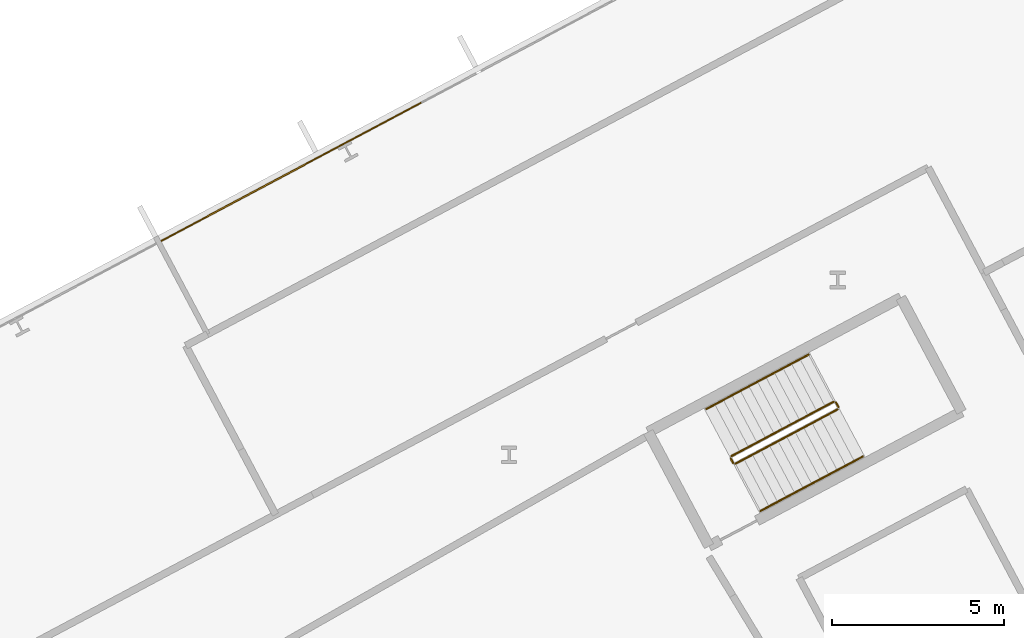
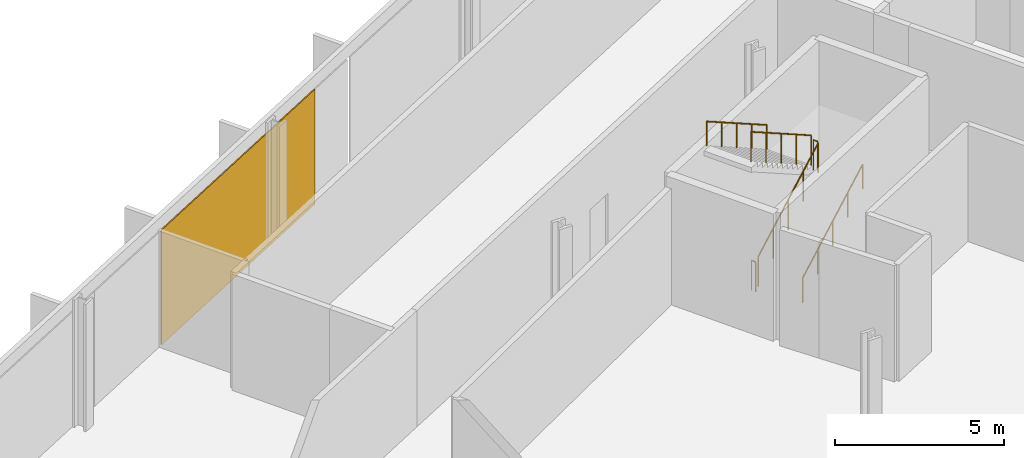
# One storey, part 29 of 30: 6 railings, 1 covering, 1 element without a shape of its own.
"""IFC4 building model written with IfcOpenShell, lengths in metres."""

from ifc_helpers import new_model, si_unit, direction, frame, origin, origin_2d, place, context, subcontext, project, spatial, polyline, rectangle, outline, extrude, material, layer, layer_set, type_object, element, aggregate, save


model = new_model("IFC4")

# Units and contexts
model_context = context("Model", 3, precision=1e-05, world=origin(), true_north=direction((0.0, 1.0)))
body_context = subcontext(model_context, "Body", "Model", "MODEL_VIEW")
ifc_project = project(units=[si_unit("LENGTHUNIT", "METRE"), si_unit("AREAUNIT", "SQUARE_METRE"), si_unit("VOLUMEUNIT", "CUBIC_METRE"), si_unit("PLANEANGLEUNIT", "RADIAN"), si_unit("MASSUNIT", "GRAM", prefix="KILO")], contexts=[model_context])

# Site, building, storey
site_placement = place(None, origin())
site = spatial("IfcSite", under=ifc_project, at=site_placement, CompositionType="ELEMENT")
building_placement = place(site_placement, origin())
building = spatial("IfcBuilding", under=site, at=building_placement, Name="Cormorant Relay Tower", CompositionType="ELEMENT")
storey_placement = place(building_placement, frame((0.0, 0.0, 80.0)))
storey = spatial("IfcBuildingStorey", under=building, at=storey_placement, Name="L15", CompositionType="ELEMENT", Elevation=80.0)

# Curtain wall, covering
ifc_material_1 = material(Name="Aluminium 6063-T6 anodised bronze", Category="aluminium")
ifc_layer_1 = layer(ifc_material_1, 0.199951171875)
ifc_layer_set_1 = layer_set([ifc_layer_1], Name="CW1 unitised bronze curtain wall with vertical fins")
curtain_wall_type = type_object("IfcCurtainWallType", Name="CW1 unitised bronze curtain wall with vertical fins", PredefinedType="NOTDEFINED", material=ifc_layer_set_1)
curtain_wall_placement = place(storey_placement, origin())
curtain_wall = element("IfcCurtainWall", 1, at=curtain_wall_placement, inside=storey, type_object=curtain_wall_type, Name="CW1 curtain wall 6", PredefinedType="NOTDEFINED")
ifc_material_2 = material(Name="Pale bronze anodised aluminium insulated panel", Category="aluminium")
ifc_layer_2 = layer(ifc_material_2, 0.0400390625)
ifc_layer_set_2 = layer_set([ifc_layer_2], Name="CW1 pale bronze insulated panel 40")
covering_type = type_object("IfcCoveringType", Name="CW1 pale bronze insulated panel 40", PredefinedType="CLADDING", material=ifc_layer_set_2)
covering_placement = place(storey_placement, frame((31.69140625, 40.6572265625, 0.0), z_axis=(0.0, 0.0, 1.0), x_axis=(-0.882947592859, -0.469471562786, 0.0)))
covering = element("IfcCovering", 2, at=covering_placement, type_object=covering_type, Name="CW1 panel S04", PredefinedType="CLADDING", context=body_context, shape_type="SweptSolid", body=[
    extrude(rectangle(XDim=8.565185546875, YDim=0.0400390625, at=origin_2d()), origin(), (0.0, 0.0, 1.0), 4.14990234375),
])
aggregate(curtain_wall, [covering])

# Railings
ifc_material_3 = material(Name="Steel ASTM A572 Grade 50 (Fy 345 MPa)", Category="steel")
railing_type_1 = type_object("IfcRailingType", Name="Stair guard 1100", PredefinedType="GUARDRAIL", material=ifc_material_3)
railing_1_placement = place(storey_placement, frame((44.583740234375, 32.186279296875, 0.177001953125)))
element("IfcRailing", 3, at=railing_1_placement, inside=storey, type_object=railing_type_1, Name="L15 RB1 stair guard 1", PredefinedType="GUARDRAIL", context=body_context, shape_type="SweptSolid", body=[
    extrude(outline(polyline([(0.022216796875, 0.00927734375), (0.00927734375, 0.022216796875), (-0.00927734375, 0.022216796875), (-0.022216796875, 0.00927734375), (-0.022216796875, -0.00927734375), (-0.00927734375, -0.022216796875), (0.00927734375, -0.022216796875), (0.022216796875, -0.00927734375), (0.022216796875, 0.00927734375)])), frame((0.0, 0.0, 1.076171875), z_axis=(0.746422470992, 0.396920836698, 0.534141689248), x_axis=(-0.469509342547, 0.882927503967, 0.0)), (0.0, 0.0, 1.0), 3.974609375),
    extrude(outline(polyline([(0.019287109375, 0.008056640625), (0.008056640625, 0.019287109375), (-0.008056640625, 0.019287109375), (-0.019287109375, 0.008056640625), (-0.019287109375, -0.008056640625), (-0.008056640625, -0.019287109375), (0.008056640625, -0.019287109375), (0.019287109375, -0.008056640625), (0.019287109375, 0.008056640625)])), origin(), (0.0, 0.0, 1.0), 1.052001953125),
    extrude(outline(polyline([(0.019287109375, 0.008056640625), (0.008056640625, 0.019287109375), (-0.008056640625, 0.019287109375), (-0.019287109375, 0.008056640625), (-0.019287109375, -0.008056640625), (-0.008056640625, -0.019287109375), (0.008056640625, -0.019287109375), (0.019287109375, -0.008056640625), (0.019287109375, 0.008056640625)])), frame((0.74169921875, 0.39453125, 0.53076171875)), (0.0, 0.0, 1.0), 1.052001953125),
    extrude(outline(polyline([(0.019287109375, 0.008056640625), (0.008056640625, 0.019287109375), (-0.008056640625, 0.019287109375), (-0.019287109375, 0.008056640625), (-0.019287109375, -0.008056640625), (-0.008056640625, -0.019287109375), (0.008056640625, -0.019287109375), (0.019287109375, -0.008056640625), (0.019287109375, 0.008056640625)])), frame((1.4833984375, 0.788818359375, 1.0615234375)), (0.0, 0.0, 1.0), 1.052001953125),
    extrude(outline(polyline([(0.019287109375, 0.008056640625), (0.008056640625, 0.019287109375), (-0.008056640625, 0.019287109375), (-0.019287109375, 0.008056640625), (-0.019287109375, -0.008056640625), (-0.008056640625, -0.019287109375), (0.008056640625, -0.019287109375), (0.019287109375, -0.008056640625), (0.019287109375, 0.008056640625)])), frame((2.22509765625, 1.18310546875, 1.59228515625)), (0.0, 0.0, 1.0), 1.052001953125),
    extrude(outline(polyline([(0.019287109375, 0.008056640625), (0.008056640625, 0.019287109375), (-0.008056640625, 0.019287109375), (-0.019287109375, 0.008056640625), (-0.019287109375, -0.008056640625), (-0.008056640625, -0.019287109375), (0.008056640625, -0.019287109375), (0.019287109375, -0.008056640625), (0.019287109375, 0.008056640625)])), frame((2.966796875, 1.57763671875, 2.123046875)), (0.0, 0.0, 1.0), 1.052001953125),
])
railing_2_placement = place(storey_placement, frame((47.571044921875, 33.831298828125, 2.300048828125)))
element("IfcRailing", 4, at=railing_2_placement, inside=storey, type_object=railing_type_1, Name="L15 RB1 stair guard 2", PredefinedType="GUARDRAIL", context=body_context, shape_type="SweptSolid", body=[
    extrude(outline(polyline([(0.022216796875, 0.00927734375), (0.00927734375, 0.022216796875), (-0.00927734375, 0.022216796875), (-0.022216796875, 0.00927734375), (-0.022216796875, -0.00927734375), (-0.00927734375, -0.022216796875), (0.00927734375, -0.022216796875), (0.022216796875, -0.00927734375), (0.022216796875, 0.00927734375)])), frame((0.0, 0.0, 1.076171875), z_axis=(-0.46856034887, 0.8834314911, 0.0), x_axis=(-0.8834314911, -0.46856034887, 0.0)), (0.0, 0.0, 1.0), 0.150146484375),
    extrude(outline(polyline([(0.019287109375, 0.008056640625), (0.008056640625, 0.019287109375), (-0.008056640625, 0.019287109375), (-0.019287109375, 0.008056640625), (-0.019287109375, -0.008056640625), (-0.008056640625, -0.019287109375), (0.008056640625, -0.019287109375), (0.019287109375, -0.008056640625), (0.019287109375, 0.008056640625)])), origin(), (0.0, 0.0, 1.0), 1.052001953125),
    extrude(outline(polyline([(0.019287109375, 0.008056640625), (0.008056640625, 0.019287109375), (-0.008056640625, 0.019287109375), (-0.019287109375, 0.008056640625), (-0.019287109375, -0.008056640625), (-0.008056640625, -0.019287109375), (0.008056640625, -0.019287109375), (0.019287109375, -0.008056640625), (0.019287109375, 0.008056640625)])), frame((-0.0703125, 0.132568359375, 0.0)), (0.0, 0.0, 1.0), 1.052001953125),
])
railing_3_placement = place(storey_placement, frame((47.43310546875, 33.984619140625, 2.476806640625)))
element("IfcRailing", 5, at=railing_3_placement, inside=storey, type_object=railing_type_1, Name="L15 RB1 stair guard 3", PredefinedType="GUARDRAIL", context=body_context, shape_type="SweptSolid", body=[
    extrude(outline(polyline([(0.022216796875, 0.00927734375), (0.00927734375, 0.022216796875), (-0.00927734375, 0.022216796875), (-0.022216796875, 0.00927734375), (-0.022216796875, -0.00927734375), (-0.00927734375, -0.022216796875), (0.00927734375, -0.022216796875), (0.022216796875, -0.00927734375), (0.022216796875, 0.00927734375)])), frame((0.0, 0.0, 1.076171875), z_axis=(-0.746416176936, -0.396856066424, 0.534198608526), x_axis=(0.46945269911, -0.882957622595, 0.0)), (0.0, 0.0, 1.0), 3.974609375),
    extrude(outline(polyline([(0.019287109375, 0.008056640625), (0.008056640625, 0.019287109375), (-0.008056640625, 0.019287109375), (-0.019287109375, 0.008056640625), (-0.019287109375, -0.008056640625), (-0.008056640625, -0.019287109375), (0.008056640625, -0.019287109375), (0.019287109375, -0.008056640625), (0.019287109375, 0.008056640625)])), origin(), (0.0, 0.0, 1.0), 1.052001953125),
    extrude(outline(polyline([(0.019287109375, 0.008056640625), (0.008056640625, 0.019287109375), (-0.008056640625, 0.019287109375), (-0.019287109375, 0.008056640625), (-0.019287109375, -0.008056640625), (-0.008056640625, -0.019287109375), (0.008056640625, -0.019287109375), (0.019287109375, -0.008056640625), (0.019287109375, 0.008056640625)])), frame((-0.74169921875, -0.394287109375, 0.53076171875)), (0.0, 0.0, 1.0), 1.052001953125),
    extrude(outline(polyline([(0.019287109375, 0.008056640625), (0.008056640625, 0.019287109375), (-0.008056640625, 0.019287109375), (-0.019287109375, 0.008056640625), (-0.019287109375, -0.008056640625), (-0.008056640625, -0.019287109375), (0.008056640625, -0.019287109375), (0.019287109375, -0.008056640625), (0.019287109375, 0.008056640625)])), frame((-1.4833984375, -0.78857421875, 1.0615234375)), (0.0, 0.0, 1.0), 1.052001953125),
    extrude(outline(polyline([(0.019287109375, 0.008056640625), (0.008056640625, 0.019287109375), (-0.008056640625, 0.019287109375), (-0.019287109375, 0.008056640625), (-0.019287109375, -0.008056640625), (-0.008056640625, -0.019287109375), (0.008056640625, -0.019287109375), (0.019287109375, -0.008056640625), (0.019287109375, 0.008056640625)])), frame((-2.22509765625, -1.18310546875, 1.592529296875)), (0.0, 0.0, 1.0), 1.052001953125),
    extrude(outline(polyline([(0.019287109375, 0.008056640625), (0.008056640625, 0.019287109375), (-0.008056640625, 0.019287109375), (-0.019287109375, 0.008056640625), (-0.019287109375, -0.008056640625), (-0.008056640625, -0.019287109375), (0.008056640625, -0.019287109375), (0.019287109375, -0.008056640625), (0.019287109375, 0.008056640625)])), frame((-2.966796875, -1.577392578125, 2.123291015625)), (0.0, 0.0, 1.0), 1.052001953125),
])
railing_4_placement = place(storey_placement, frame((44.51611328125, 32.20703125, 0.0)))
element("IfcRailing", 6, at=railing_4_placement, inside=storey, type_object=railing_type_1, Name="L15 RB1 stair guard 4", PredefinedType="GUARDRAIL", context=body_context, shape_type="SweptSolid", body=[
    extrude(outline(polyline([(0.022216796875, 0.00927734375), (0.00927734375, 0.022216796875), (-0.00927734375, 0.022216796875), (-0.022216796875, 0.00927734375), (-0.022216796875, -0.00927734375), (-0.00927734375, -0.022216796875), (0.00927734375, -0.022216796875), (0.022216796875, -0.00927734375), (0.022216796875, 0.00927734375)])), frame((0.0, 0.0, 1.076171875), z_axis=(-0.46856034887, 0.8834314911, 0.0), x_axis=(-0.8834314911, -0.46856034887, 0.0)), (0.0, 0.0, 1.0), 0.150146484375),
    extrude(outline(polyline([(0.019287109375, 0.008056640625), (0.008056640625, 0.019287109375), (-0.008056640625, 0.019287109375), (-0.019287109375, 0.008056640625), (-0.019287109375, -0.008056640625), (-0.008056640625, -0.019287109375), (0.008056640625, -0.019287109375), (0.019287109375, -0.008056640625), (0.019287109375, 0.008056640625)])), origin(), (0.0, 0.0, 1.0), 1.052001953125),
    extrude(outline(polyline([(0.019287109375, 0.008056640625), (0.008056640625, 0.019287109375), (-0.008056640625, 0.019287109375), (-0.019287109375, 0.008056640625), (-0.019287109375, -0.008056640625), (-0.008056640625, -0.019287109375), (0.008056640625, -0.019287109375), (0.019287109375, -0.008056640625), (0.019287109375, 0.008056640625)])), frame((-0.0703125, 0.132568359375, 0.0)), (0.0, 0.0, 1.0), 1.052001953125),
])
ifc_material_4 = material(Name="Steel ASTM A572 Grade 50 (Fy 345 MPa)", Category="steel")
railing_type_2 = type_object("IfcRailingType", Name="Stair handrail 900", PredefinedType="HANDRAIL", material=ifc_material_4)
railing_5_placement = place(storey_placement, frame((45.3115234375, 30.81787109375, 0.177001953125)))
element("IfcRailing", 7, at=railing_5_placement, inside=storey, type_object=railing_type_2, Name="L15 RB1 stair handrail 1", PredefinedType="HANDRAIL", context=body_context, shape_type="SweptSolid", body=[
    extrude(outline(polyline([(0.022216796875, 0.00927734375), (0.00927734375, 0.022216796875), (-0.00927734375, 0.022216796875), (-0.022216796875, 0.00927734375), (-0.022216796875, -0.00927734375), (-0.00927734375, -0.022216796875), (0.00927734375, -0.022216796875), (0.022216796875, -0.00927734375), (0.022216796875, 0.00927734375)])), frame((0.0, 0.0, 0.8759765625), z_axis=(0.746413465702, 0.396887285154, 0.534179203172), x_axis=(-0.469482818608, 0.88294160794, 0.0)), (0.0, 0.0, 1.0), 3.974365234375),
    extrude(outline(polyline([(0.019287109375, 0.008056640625), (0.008056640625, 0.019287109375), (-0.008056640625, 0.019287109375), (-0.019287109375, 0.008056640625), (-0.019287109375, -0.008056640625), (-0.008056640625, -0.019287109375), (0.008056640625, -0.019287109375), (0.019287109375, -0.008056640625), (0.019287109375, 0.008056640625)])), origin(), (0.0, 0.0, 1.0), 0.851806640625),
    extrude(outline(polyline([(0.019287109375, 0.008056640625), (0.008056640625, 0.019287109375), (-0.008056640625, 0.019287109375), (-0.019287109375, 0.008056640625), (-0.019287109375, -0.008056640625), (-0.008056640625, -0.019287109375), (0.008056640625, -0.019287109375), (0.019287109375, -0.008056640625), (0.019287109375, 0.008056640625)])), frame((0.74169921875, 0.394287109375, 0.53076171875)), (0.0, 0.0, 1.0), 0.851806640625),
    extrude(outline(polyline([(0.019287109375, 0.008056640625), (0.008056640625, 0.019287109375), (-0.008056640625, 0.019287109375), (-0.019287109375, 0.008056640625), (-0.019287109375, -0.008056640625), (-0.008056640625, -0.019287109375), (0.008056640625, -0.019287109375), (0.019287109375, -0.008056640625), (0.019287109375, 0.008056640625)])), frame((1.4833984375, 0.78857421875, 1.0615234375)), (0.0, 0.0, 1.0), 0.851806640625),
    extrude(outline(polyline([(0.019287109375, 0.008056640625), (0.008056640625, 0.019287109375), (-0.008056640625, 0.019287109375), (-0.019287109375, 0.008056640625), (-0.019287109375, -0.008056640625), (-0.008056640625, -0.019287109375), (0.008056640625, -0.019287109375), (0.019287109375, -0.008056640625), (0.019287109375, 0.008056640625)])), frame((2.224853515625, 1.18310546875, 1.59228515625)), (0.0, 0.0, 1.0), 0.851806640625),
    extrude(outline(polyline([(0.019287109375, 0.008056640625), (0.008056640625, 0.019287109375), (-0.008056640625, 0.019287109375), (-0.019287109375, 0.008056640625), (-0.019287109375, -0.008056640625), (-0.008056640625, -0.019287109375), (0.008056640625, -0.019287109375), (0.019287109375, -0.008056640625), (0.019287109375, 0.008056640625)])), frame((2.966552734375, 1.577392578125, 2.123046875)), (0.0, 0.0, 1.0), 0.851806640625),
])
railing_6_placement = place(storey_placement, frame((46.705322265625, 35.35302734375, 2.476806640625)))
element("IfcRailing", 8, at=railing_6_placement, inside=storey, type_object=railing_type_2, Name="L15 RB1 stair handrail 2", PredefinedType="HANDRAIL", context=body_context, shape_type="SweptSolid", body=[
    extrude(outline(polyline([(0.022216796875, 0.00927734375), (0.00927734375, 0.022216796875), (-0.00927734375, 0.022216796875), (-0.022216796875, 0.00927734375), (-0.022216796875, -0.00927734375), (-0.00927734375, -0.022216796875), (0.00927734375, -0.022216796875), (0.022216796875, -0.00927734375), (0.022216796875, 0.00927734375)])), frame((0.0, 0.0, 0.8759765625), z_axis=(-0.746388972956, -0.396874261729, 0.534223100798), x_axis=(0.469482818608, -0.88294160794, 0.0)), (0.0, 0.0, 1.0), 3.974609375),
    extrude(outline(polyline([(0.019287109375, 0.008056640625), (0.008056640625, 0.019287109375), (-0.008056640625, 0.019287109375), (-0.019287109375, 0.008056640625), (-0.019287109375, -0.008056640625), (-0.008056640625, -0.019287109375), (0.008056640625, -0.019287109375), (0.019287109375, -0.008056640625), (0.019287109375, 0.008056640625)])), origin(), (0.0, 0.0, 1.0), 0.851806640625),
    extrude(outline(polyline([(0.019287109375, 0.008056640625), (0.008056640625, 0.019287109375), (-0.008056640625, 0.019287109375), (-0.019287109375, 0.008056640625), (-0.019287109375, -0.008056640625), (-0.008056640625, -0.019287109375), (0.008056640625, -0.019287109375), (0.019287109375, -0.008056640625), (0.019287109375, 0.008056640625)])), frame((-0.74169921875, -0.394287109375, 0.53076171875)), (0.0, 0.0, 1.0), 0.851806640625),
    extrude(outline(polyline([(0.019287109375, 0.008056640625), (0.008056640625, 0.019287109375), (-0.008056640625, 0.019287109375), (-0.019287109375, 0.008056640625), (-0.019287109375, -0.008056640625), (-0.008056640625, -0.019287109375), (0.008056640625, -0.019287109375), (0.019287109375, -0.008056640625), (0.019287109375, 0.008056640625)])), frame((-1.4833984375, -0.78857421875, 1.0615234375)), (0.0, 0.0, 1.0), 0.851806640625),
    extrude(outline(polyline([(0.019287109375, 0.008056640625), (0.008056640625, 0.019287109375), (-0.008056640625, 0.019287109375), (-0.019287109375, 0.008056640625), (-0.019287109375, -0.008056640625), (-0.008056640625, -0.019287109375), (0.008056640625, -0.019287109375), (0.019287109375, -0.008056640625), (0.019287109375, 0.008056640625)])), frame((-2.224853515625, -1.18310546875, 1.592529296875)), (0.0, 0.0, 1.0), 0.851806640625),
    extrude(outline(polyline([(0.019287109375, 0.008056640625), (0.008056640625, 0.019287109375), (-0.008056640625, 0.019287109375), (-0.019287109375, 0.008056640625), (-0.019287109375, -0.008056640625), (-0.008056640625, -0.019287109375), (0.008056640625, -0.019287109375), (0.019287109375, -0.008056640625), (0.019287109375, 0.008056640625)])), frame((-2.966552734375, -1.577392578125, 2.123291015625)), (0.0, 0.0, 1.0), 0.851806640625),
])

save(model, "model.ifc")
